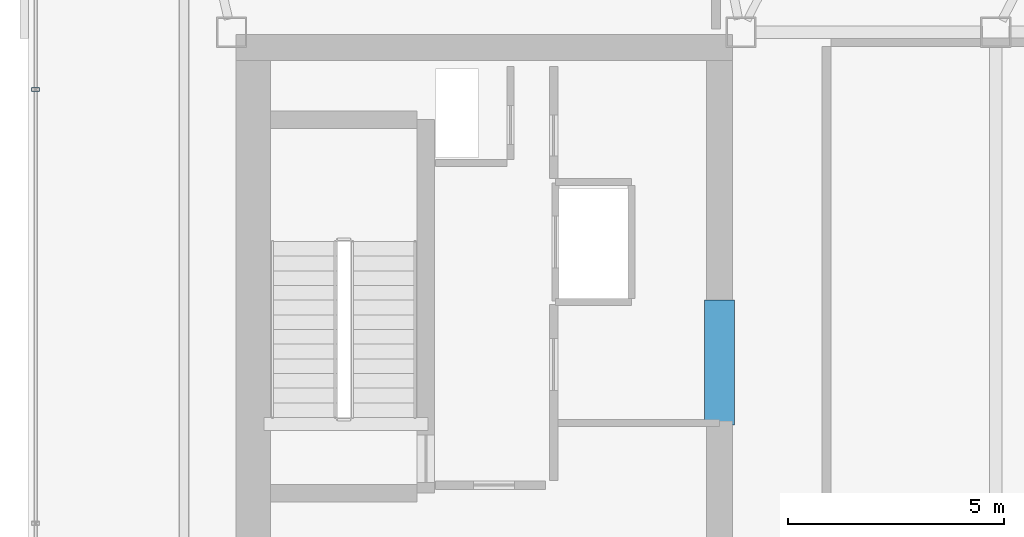
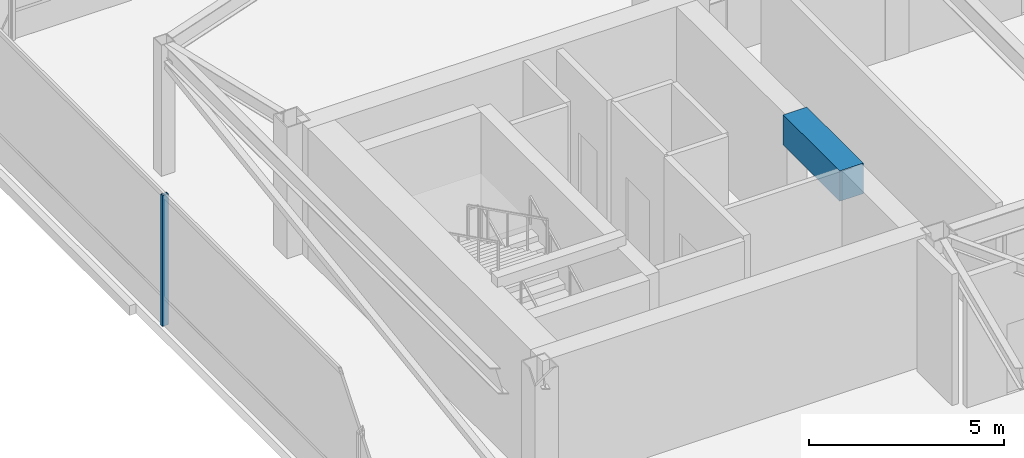
# One storey, part 6 of 22: 1 beam, 1 member, 1 element without a shape of its own.
"""IFC4 building model written with IfcOpenShell, lengths in metres."""

import ifcopenshell
import ifcopenshell.guid

model = None  # the IFC model being written
_history = None  # IfcOwnerHistory: only IFC2X3 demands one
_inside = {}  # id of a spatial element -> (the spatial element, [elements in it])
_under = {}  # id of a project, library or spatial element -> (it, [spatial elements below it])
_declared = {}  # id of a project -> (the project, [libraries it declares])
_typed = {}  # id of a type object -> (the type object, [elements of that type])
_made_of = {}  # id of a material, layer set ... -> (it, [elements and type objects made of it])


def new_model(schema):
    """Start an empty IFC model of exactly this schema.

    Asked for "IFC4X3", IfcOpenShell would pick the latest addendum, in which some entities
    have other attributes; the version numbers below select the first issue.
    IFC2X3 requires an IfcOwnerHistory on every rooted entity: one is made here for all.
    """
    global model, _history
    if schema == "IFC4X3":
        model = ifcopenshell.file(schema_version=(4, 3, 0, 0))
    else:
        model = ifcopenshell.file(schema=schema)
    _inside.clear()
    _under.clear()
    _declared.clear()
    _typed.clear()
    _made_of.clear()
    _history = None
    if model.schema == "IFC2X3":
        org = make("IfcOrganization", Name="unknown")
        user = make(
            "IfcPersonAndOrganization",
            ThePerson=make("IfcPerson", FamilyName="unknown"),
            TheOrganization=org,
        )
        app = make(
            "IfcApplication",
            ApplicationDeveloper=org,
            Version="unknown",
            ApplicationFullName="unknown",
            ApplicationIdentifier="unknown",
        )
        _history = make(
            "IfcOwnerHistory",
            OwningUser=user,
            OwningApplication=app,
            ChangeAction="ADDED",
            CreationDate=0,
        )
    return model


def make(cls, **values):
    """One entity of the class cls with the attributes given. An attribute that is None is left unset."""
    return model.create_entity(
        cls, **{name: value for name, value in values.items() if value is not None}
    )


def rooted(cls, **values):
    """An entity with a GlobalId (a new one), such as an element, a storey or a relation."""
    return make(cls, GlobalId=ifcopenshell.guid.new(), OwnerHistory=_history, **values)


def si_unit(unit_type, name, prefix=None):
    """IfcSIUnit, for example si_unit("LENGTHUNIT", "METRE", prefix="MILLI")."""
    return make("IfcSIUnit", UnitType=unit_type, Prefix=prefix, Name=name)


def assignment(units):
    """IfcUnitAssignment: the units of a project."""
    return None if units is None else make("IfcUnitAssignment", Units=units)


def point(xyz):
    """IfcCartesianPoint."""
    return None if xyz is None else make("IfcCartesianPoint", Coordinates=xyz)


def direction(xyz):
    """IfcDirection."""
    return None if xyz is None else make("IfcDirection", DirectionRatios=xyz)


def frame(location, z_axis=None, x_axis=None):
    """IfcAxis2Placement3D, a coordinate frame: its origin and axes. An axis left out is left unset."""
    return make(
        "IfcAxis2Placement3D",
        Location=point(location),
        Axis=direction(z_axis),
        RefDirection=direction(x_axis),
    )


def frame_2d(location, x_axis=None):
    """IfcAxis2Placement2D, a coordinate frame in the plane: its origin and x axis."""
    return make(
        "IfcAxis2Placement2D", Location=point(location), RefDirection=direction(x_axis)
    )


def origin():
    """The frame at (0, 0, 0) with its axes left unset."""
    return frame((0.0, 0.0, 0.0))


def origin_2d():
    """The frame at (0, 0) in the plane with its x axis left unset."""
    return frame_2d((0.0, 0.0))


def place(relative_to, where):
    """IfcLocalPlacement: puts the frame where relative to a parent placement (None: the world)."""
    return make(
        "IfcLocalPlacement", PlacementRelTo=relative_to, RelativePlacement=where
    )


def context(
    kind, dimensions, precision=None, world=None, true_north=None, identifier=None
):
    """IfcGeometricRepresentationContext, for example the 3D "Model" context."""
    return make(
        "IfcGeometricRepresentationContext",
        ContextIdentifier=identifier,
        ContextType=kind,
        CoordinateSpaceDimension=dimensions,
        Precision=precision,
        WorldCoordinateSystem=world,
        TrueNorth=true_north,
    )


def subcontext(parent, identifier, kind, view, scale=None):
    """IfcGeometricRepresentationSubContext, for example "Body" below "Model"."""
    return make(
        "IfcGeometricRepresentationSubContext",
        ContextIdentifier=identifier,
        ContextType=kind,
        ParentContext=parent,
        TargetScale=scale,
        TargetView=view,
    )


def project(units=None, contexts=None):
    """IfcProject with its units and contexts."""
    return rooted(
        "IfcProject",
        Name="project",
        RepresentationContexts=contexts,
        UnitsInContext=assignment(units),
    )


def spatial(cls, under=None, at=None, **own):
    """A site, building, storey or space (cls), placed at a placement, below another one or the project."""
    s = rooted(cls, ObjectPlacement=at, **own)
    if under is not None:
        _under.setdefault(under.id(), (under, []))[1].append(s)
    return s


def profile(cls, at=None, kind="AREA", **sizes):
    """A parametric profile (cls). Its sizes go by their IFC names, for example OverallWidth=200.0."""
    return make(cls, ProfileType=kind, Position=at, **sizes)


def rectangle(**sizes):
    """IfcRectangleProfileDef."""
    return profile("IfcRectangleProfileDef", **sizes)


def hollow_rectangle(**sizes):
    """IfcRectangleHollowProfileDef."""
    return profile("IfcRectangleHollowProfileDef", **sizes)


def extrude(swept, where, along, depth):
    """IfcExtrudedAreaSolid: the profile swept, set in the frame where, extruded along a direction by depth."""
    return make(
        "IfcExtrudedAreaSolid",
        SweptArea=swept,
        Position=where,
        ExtrudedDirection=direction(along),
        Depth=depth,
    )


def shape(context_of_items, identifier, shape_type, items):
    """IfcShapeRepresentation: the items that make up one representation, for example the "Body"."""
    return make(
        "IfcShapeRepresentation",
        ContextOfItems=context_of_items,
        RepresentationIdentifier=identifier,
        RepresentationType=shape_type,
        Items=items,
    )


def material(Name=None, Category=None):
    """IfcMaterial."""
    return make("IfcMaterial", Name=Name, Category=Category)


def layer(
    of_material, thickness, ventilated=None, Name=None, Category=None, Priority=None
):
    """IfcMaterialLayer: one layer of a wall or slab, of a material (None: an air gap)."""
    return make(
        "IfcMaterialLayer",
        Material=of_material,
        LayerThickness=thickness,
        IsVentilated=ventilated,
        Name=Name,
        Category=Category,
        Priority=Priority,
    )


def layer_set(layers, Name=None):
    """IfcMaterialLayerSet."""
    return make("IfcMaterialLayerSet", MaterialLayers=layers, LayerSetName=Name)


def material_profile(
    of_material, cross_section, Name=None, Category=None, Priority=None
):
    """IfcMaterialProfile: a cross section and its material."""
    return make(
        "IfcMaterialProfile",
        Name=Name,
        Material=of_material,
        Profile=cross_section,
        Priority=Priority,
        Category=Category,
    )


def profile_set(profiles, Name=None, composite=None):
    """IfcMaterialProfileSet."""
    return make(
        "IfcMaterialProfileSet",
        Name=Name,
        MaterialProfiles=profiles,
        CompositeProfile=composite,
    )


def made_of(thing, what):
    """Note that an element or type object is made of a material, layer set ...; save() writes the relation."""
    if what is not None:
        _made_of.setdefault(what.id(), (what, []))[1].append(thing)
    return thing


def type_object(cls, material=None, **own):
    """A type object (cls), such as IfcWallType, which elements share."""
    return made_of(rooted(cls, **own), material)


def element(
    cls,
    number,
    at=None,
    inside=None,
    cuts=None,
    type_object=None,
    material=None,
    context=None,
    identifier="Body",
    shape_type=None,
    held_by="IfcProductDefinitionShape",
    body=None,
    shapes=None,
    **own,
):
    """One element of the class cls, such as IfcWall. Its Tag is "e" and its number.

    at: its placement. inside: the storey or other place that contains it. cuts: it is an
    opening in that element (IfcRelVoidsElement). A single representation is given by context,
    identifier, shape_type and body (its items); several are given by shapes. held_by: the class
    of the entity that holds the representations. save() writes the other relations.
    """
    e = rooted(cls, Tag="e%d" % number, ObjectPlacement=at, **own)
    if body is not None:
        shapes = [shape(context, identifier, shape_type, body)]
    if shapes is not None:
        e.Representation = make(held_by, Representations=shapes)
    if inside is not None:
        _inside.setdefault(inside.id(), (inside, []))[1].append(e)
    if cuts is not None:
        rooted(
            "IfcRelVoidsElement", RelatingBuildingElement=cuts, RelatedOpeningElement=e
        )
    if type_object is not None:
        _typed.setdefault(type_object.id(), (type_object, []))[1].append(e)
    return made_of(e, material)


def aggregate(whole, parts):
    """IfcRelAggregates: a whole, such as a stair, and the parts it consists of."""
    return rooted("IfcRelAggregates", RelatingObject=whole, RelatedObjects=parts)


def save(model, path):
    """Write the relations noted so far, then the file.

    IfcRelAggregates (storeys below a building ...), IfcRelContainedInSpatialStructure (elements
    in a storey), IfcRelDefinesByType, IfcRelAssociatesMaterial and IfcRelDeclares: one each for
    every whole, place, type object, material and project.
    """
    for whole, parts in _under.values():
        aggregate(whole, parts)
    for where, things in _inside.values():
        rooted(
            "IfcRelContainedInSpatialStructure",
            RelatedElements=things,
            RelatingStructure=where,
        )
    for kind, things in _typed.values():
        rooted("IfcRelDefinesByType", RelatedObjects=things, RelatingType=kind)
    for what, things in _made_of.values():
        rooted("IfcRelAssociatesMaterial", RelatedObjects=things, RelatingMaterial=what)
    for by, libraries in _declared.values():
        rooted("IfcRelDeclares", RelatingContext=by, RelatedDefinitions=libraries)
    model.write(path)


model = new_model("IFC4")

# Units and contexts
model_context = context("Model", 3, precision=1e-05, world=origin(), true_north=direction((0.0, 1.0)))
body_context = subcontext(model_context, "Body", "Model", "MODEL_VIEW")
ifc_project = project(units=[si_unit("LENGTHUNIT", "METRE"), si_unit("AREAUNIT", "SQUARE_METRE"), si_unit("VOLUMEUNIT", "CUBIC_METRE"), si_unit("PLANEANGLEUNIT", "RADIAN"), si_unit("MASSUNIT", "GRAM", prefix="KILO")], contexts=[model_context])

# Site, building, storey
site_placement = place(None, origin())
site = spatial("IfcSite", under=ifc_project, at=site_placement, CompositionType="ELEMENT")
building_placement = place(site_placement, origin())
building = spatial("IfcBuilding", under=site, at=building_placement, Name="Tavrogorsk Clinical Tower", CompositionType="ELEMENT")
storey_placement = place(building_placement, frame((0.0, 0.0, 339.800048828125)))
storey = spatial("IfcBuildingStorey", under=building, at=storey_placement, Name="L79", CompositionType="ELEMENT", Elevation=339.800048828125)

# Beam
ifc_material_1 = material(Name="Concrete B80", Category="concrete")
ifc_material_profile_1 = material_profile(ifc_material_1, rectangle(XDim=0.699951171875, YDim=0.949951171875, at=origin_2d()), Name="RC-CB-700x950")
ifc_profile_set_1 = profile_set([ifc_material_profile_1], Name="Concrete B80")
beam_type = type_object("IfcBeamType", Name="CouplingBeam_RC700x950", PredefinedType="LINTEL", material=ifc_profile_set_1)
beam_placement = place(storey_placement, frame((-10.800048828125, -2.75, 3.625), z_axis=(0.0, 1.0, 0.0), x_axis=(-1.0, 0.0, 0.0)))
element("IfcBeam", 1, at=beam_placement, inside=storey, type_object=beam_type, Name="L79 Core West Coupling Beam", PredefinedType="LINTEL", context=body_context, shape_type="SweptSolid", body=[
    extrude(rectangle(XDim=0.699951171875, YDim=0.949951171875, at=origin_2d()), origin(), (0.0, 0.0, 1.0), 2.89990234375),
])

# Curtain wall, member
ifc_material_2 = material(Name="Anodised aluminium and triple IGU glazing", Category="aluminium")
ifc_layer = layer(ifc_material_2, 0.179931640625)
ifc_layer_set = layer_set([ifc_layer], Name="Anodised aluminium and triple IGU glazing")
curtain_wall_type = type_object("IfcCurtainWallType", Name="CW6_TmdLantern", PredefinedType="NOTDEFINED", material=ifc_layer_set)
curtain_wall_placement = place(storey_placement, origin())
curtain_wall = element("IfcCurtainWall", 2, at=curtain_wall_placement, inside=storey, type_object=curtain_wall_type, Name="L79 Curtain Wall CW-L79-DRUM-2", PredefinedType="NOTDEFINED")
ifc_material_3 = material(Name="Anodised aluminium alloy AW-6060", Category="aluminium")
ifc_material_profile_2 = material_profile(ifc_material_3, hollow_rectangle(XDim=0.090087890625, YDim=0.179931640625, WallThickness=0.00634765625, at=origin_2d()), Name="RHS-180x90x6.3")
ifc_profile_set_2 = profile_set([ifc_material_profile_2], Name="Anodised aluminium alloy AW-6060")
member_type = type_object("IfcMemberType", Name="CwMullion_180x90", PredefinedType="MULLION", material=ifc_profile_set_2)
member_placement = place(storey_placement, frame((-26.639892578125, 5.024658203125, 0.0), z_axis=(0.0, 0.0, 1.0), x_axis=(0.0, 1.0, 0.0)))
member = element("IfcMember", 3, at=member_placement, type_object=member_type, Name="CW-L79-DRUM-2 Mullion 3", PredefinedType="MULLION", context=body_context, shape_type="SweptSolid", body=[
    extrude(hollow_rectangle(XDim=0.090087890625, YDim=0.179931640625, WallThickness=0.00634765625, at=origin_2d()), origin(), (0.0, 0.0, 1.0), 4.099853515625),
])
aggregate(curtain_wall, [member])

save(model, "model.ifc")
